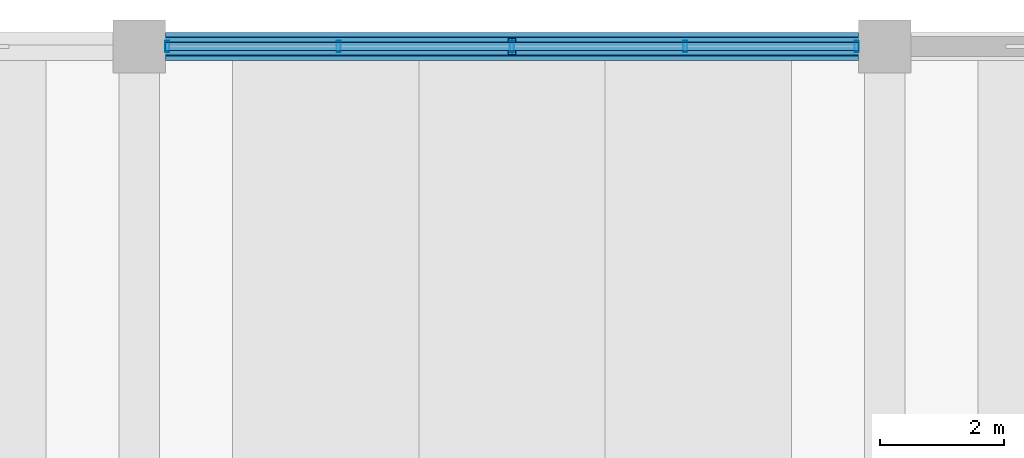
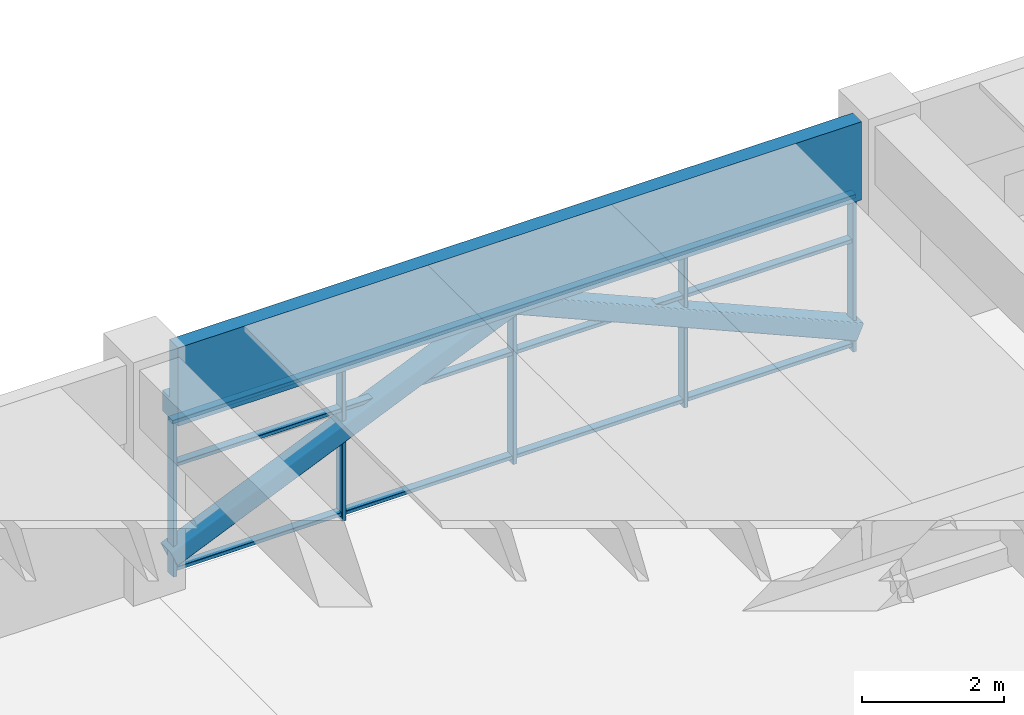
# One storey, part 21 of 50: 10 members, 1 beam, 1 element without a shape of its own.
"""IFC4 building model written with IfcOpenShell, lengths in metres."""

from ifc_helpers import new_model, si_unit, direction, frame, origin, origin_2d, place, context, subcontext, project, spatial, polyline, hollow_rectangle, outline, extrude, material, material_profile, profile_set, type_object, element, aggregate, save


model = new_model("IFC4")

# Units and contexts
model_context = context("Model", 3, precision=1e-05, world=origin(), true_north=direction((0.0, 1.0)))
body_context = subcontext(model_context, "Body", "Model", "MODEL_VIEW")
ifc_project = project(units=[si_unit("LENGTHUNIT", "METRE"), si_unit("AREAUNIT", "SQUARE_METRE"), si_unit("VOLUMEUNIT", "CUBIC_METRE"), si_unit("PLANEANGLEUNIT", "RADIAN"), si_unit("MASSUNIT", "GRAM", prefix="KILO")], contexts=[model_context])

# Site, building, storey
site_placement = place(None, origin())
site = spatial("IfcSite", under=ifc_project, at=site_placement, CompositionType="ELEMENT")
building_placement = place(site_placement, origin())
building = spatial("IfcBuilding", under=site, at=building_placement, Name="Girod Span Mobility Hub", CompositionType="ELEMENT")
storey_placement = place(building_placement, frame((0.0, 0.0, 5.39990234375)))
storey = spatial("IfcBuildingStorey", under=building, at=storey_placement, Name="L01", CompositionType="ELEMENT", Elevation=5.39990234375)

# Beam
ifc_material_1 = material(Name="Concrete C40/50", Category="concrete")
ifc_material_profile_1 = material_profile(ifc_material_1, outline(polyline([(-0.22509765625, -0.675048828125), (0.22509765625, -0.675048828125), (0.22509765625, -0.324951171875), (0.02490234375, -0.324951171875), (0.02490234375, 0.675048828125), (-0.22509765625, 0.675048828125), (-0.22509765625, -0.675048828125)])), Name="SP-450X1350")
ifc_profile_set_1 = profile_set([ifc_material_profile_1], Name="Concrete C40/50")
beam_type = type_object("IfcBeamType", Name="BM-SP-450X1350", PredefinedType="SPANDREL", material=ifc_profile_set_1)
beam_placement = place(storey_placement, frame((108.422119140625, 114.0, 3.364990234375), z_axis=(1.0, 0.0, 0.0), x_axis=(0.0, 1.0, 0.0)))
element("IfcBeam", 1, at=beam_placement, inside=storey, type_object=beam_type, Name="Girder 10-11/J L01", PredefinedType="SPANDREL", context=body_context, shape_type="SweptSolid", body=[
    extrude(outline(polyline([(-0.22509765625, -0.675048828125), (0.22509765625, -0.675048828125), (0.22509765625, -0.324951171875), (0.02490234375, -0.324951171875), (0.02490234375, 0.675048828125), (-0.22509765625, 0.675048828125), (-0.22509765625, -0.675048828125)])), origin(), (0.0, 0.0, 1.0), 11.15576171875),
])

# Curtain wall, members
ifc_material_2 = material(Name="Thermally Broken Anodised Aluminium", Category="aluminium")
curtain_wall_type = type_object("IfcCurtainWallType", Name="CW-1115X269", PredefinedType="USERDEFINED", material=ifc_material_2)
curtain_wall_placement = place(storey_placement, origin())
curtain_wall = element("IfcCurtainWall", 2, at=curtain_wall_placement, inside=storey, type_object=curtain_wall_type, Name="Concourse Storefront CW-L01-N10 L01", ObjectType="CONCOURSE STOREFRONT", PredefinedType="USERDEFINED")
ifc_material_3 = material(Name="Thermally Broken Anodised Aluminium", Category="aluminium")
ifc_material_profile_2 = material_profile(ifc_material_3, hollow_rectangle(XDim=0.179931640625, YDim=0.06494140625, WallThickness=0.00390625, InnerFilletRadius=0.00390625, OuterFilletRadius=0.008056640625, at=origin_2d()), Name="CW-ML-65X180")
ifc_profile_set_2 = profile_set([ifc_material_profile_2], Name="Thermally Broken Anodised Aluminium")
member_type_1 = type_object("IfcMemberType", Name="CWM-ML-2", PredefinedType="MULLION", material=ifc_profile_set_2)
member_1_placement = place(storey_placement, frame((108.455078125, 114.0, 0.0), z_axis=(0.0, 0.0, 1.0), x_axis=(0.0, 1.0, 0.0)))
member_1 = element("IfcMember", 3, at=member_1_placement, type_object=member_type_1, Name="Curtain Wall Mullion CW-L01-N10-M0", PredefinedType="MULLION", context=body_context, shape_type="SweptSolid", body=[
    extrude(hollow_rectangle(XDim=0.179931640625, YDim=0.06494140625, WallThickness=0.00390625, InnerFilletRadius=0.00390625, OuterFilletRadius=0.008056640625, at=origin_2d()), origin(), (0.0, 0.0, 1.0), 2.690185546875),
])
member_2_placement = place(storey_placement, frame((111.21142578125, 114.0, 0.0), z_axis=(0.0, 0.0, 1.0), x_axis=(0.0, 1.0, 0.0)))
member_2 = element("IfcMember", 4, at=member_2_placement, type_object=member_type_1, Name="Curtain Wall Mullion CW-L01-N10-M1", PredefinedType="MULLION", context=body_context, shape_type="SweptSolid", body=[
    extrude(hollow_rectangle(XDim=0.179931640625, YDim=0.06494140625, WallThickness=0.00390625, InnerFilletRadius=0.00390625, OuterFilletRadius=0.008056640625, at=origin_2d()), origin(), (0.0, 0.0, 1.0), 2.690185546875),
])
member_3_placement = place(storey_placement, frame((114.0, 114.0, 0.0), z_axis=(0.0, 0.0, 1.0), x_axis=(0.0, 1.0, 0.0)))
member_3 = element("IfcMember", 5, at=member_3_placement, type_object=member_type_1, Name="Curtain Wall Mullion CW-L01-N10-M2", PredefinedType="MULLION", context=body_context, shape_type="SweptSolid", body=[
    extrude(hollow_rectangle(XDim=0.179931640625, YDim=0.06494140625, WallThickness=0.00390625, InnerFilletRadius=0.00390625, OuterFilletRadius=0.008056640625, at=origin_2d()), origin(), (0.0, 0.0, 1.0), 2.690185546875),
])
member_4_placement = place(storey_placement, frame((116.78857421875, 114.0, 0.0), z_axis=(0.0, 0.0, 1.0), x_axis=(0.0, 1.0, 0.0)))
member_4 = element("IfcMember", 6, at=member_4_placement, type_object=member_type_1, Name="Curtain Wall Mullion CW-L01-N10-M3", PredefinedType="MULLION", context=body_context, shape_type="SweptSolid", body=[
    extrude(hollow_rectangle(XDim=0.179931640625, YDim=0.06494140625, WallThickness=0.00390625, InnerFilletRadius=0.00390625, OuterFilletRadius=0.008056640625, at=origin_2d()), origin(), (0.0, 0.0, 1.0), 2.690185546875),
])
member_5_placement = place(storey_placement, frame((119.544921875, 114.0, 0.0), z_axis=(0.0, 0.0, 1.0), x_axis=(0.0, 1.0, 0.0)))
member_5 = element("IfcMember", 7, at=member_5_placement, type_object=member_type_1, Name="Curtain Wall Mullion CW-L01-N10-M4", PredefinedType="MULLION", context=body_context, shape_type="SweptSolid", body=[
    extrude(hollow_rectangle(XDim=0.179931640625, YDim=0.06494140625, WallThickness=0.00390625, InnerFilletRadius=0.00390625, OuterFilletRadius=0.008056640625, at=origin_2d()), origin(), (0.0, 0.0, 1.0), 2.690185546875),
])
ifc_material_4 = material(Name="Thermally Broken Anodised Aluminium", Category="aluminium")
ifc_material_profile_3 = material_profile(ifc_material_4, hollow_rectangle(XDim=0.135009765625, YDim=0.06494140625, WallThickness=0.00390625, InnerFilletRadius=0.00390625, OuterFilletRadius=0.008056640625, at=origin_2d()), Name="CW-TR-65X135")
ifc_profile_set_3 = profile_set([ifc_material_profile_3], Name="Thermally Broken Anodised Aluminium")
member_type_2 = type_object("IfcMemberType", Name="CWM-TR-2", PredefinedType="USERDEFINED", material=ifc_profile_set_3)
member_6_placement = place(storey_placement, frame((108.423095703125, 114.0, 0.107666015625), z_axis=(1.0, 0.0, 0.0), x_axis=(0.0, 1.0, 0.0)))
member_6 = element("IfcMember", 8, at=member_6_placement, type_object=member_type_2, Name="Curtain Wall Transom CW-L01-N10-T1", ObjectType="TRANSOM", PredefinedType="USERDEFINED", context=body_context, shape_type="SweptSolid", body=[
    extrude(hollow_rectangle(XDim=0.135009765625, YDim=0.06494140625, WallThickness=0.00390625, InnerFilletRadius=0.00390625, OuterFilletRadius=0.008056640625, at=origin_2d()), origin(), (0.0, 0.0, 1.0), 11.15380859375),
])
member_7_placement = place(storey_placement, frame((108.423095703125, 114.0, 1.904296875), z_axis=(1.0, 0.0, 0.0), x_axis=(0.0, 1.0, 0.0)))
member_7 = element("IfcMember", 9, at=member_7_placement, type_object=member_type_2, Name="Curtain Wall Transom CW-L01-N10-T2", ObjectType="TRANSOM", PredefinedType="USERDEFINED", context=body_context, shape_type="SweptSolid", body=[
    extrude(hollow_rectangle(XDim=0.135009765625, YDim=0.06494140625, WallThickness=0.00390625, InnerFilletRadius=0.00390625, OuterFilletRadius=0.008056640625, at=origin_2d()), origin(), (0.0, 0.0, 1.0), 11.15380859375),
])
member_8_placement = place(storey_placement, frame((108.423095703125, 114.0, 2.65771484375), z_axis=(1.0, 0.0, 0.0), x_axis=(0.0, 1.0, 0.0)))
member_8 = element("IfcMember", 10, at=member_8_placement, type_object=member_type_2, Name="Curtain Wall Transom CW-L01-N10-T3", ObjectType="TRANSOM", PredefinedType="USERDEFINED", context=body_context, shape_type="SweptSolid", body=[
    extrude(hollow_rectangle(XDim=0.135009765625, YDim=0.06494140625, WallThickness=0.00390625, InnerFilletRadius=0.00390625, OuterFilletRadius=0.008056640625, at=origin_2d()), origin(), (0.0, 0.0, 1.0), 11.15380859375),
])
aggregate(curtain_wall, [member_1, member_2, member_3, member_4, member_5, member_6, member_7, member_8])

# Members
ifc_material_5 = material(Name="Steel HSS A500 Grade C", Category="steel")
ifc_material_profile_4 = material_profile(ifc_material_5, hollow_rectangle(XDim=0.304931640625, YDim=0.304931640625, WallThickness=0.014892578125, InnerFilletRadius=0.014892578125, OuterFilletRadius=0.029541015625, at=origin_2d()), Name="HSS305X305X16")
ifc_profile_set_4 = profile_set([ifc_material_profile_4], Name="Steel HSS A500 Grade C")
member_type_3 = type_object("IfcMemberType", Name="MB-BR-HSS305", PredefinedType="BRACE", material=ifc_profile_set_4)
for number, where, z_axis, x_axis, name in (
    (11, (108.405029296875, 114.0, 0.35009765625), (0.917828641156, 0.0, 0.396976807223), (0.0, 1.0, 0.0), "Perimeter Chevron Brace 10/J-L L01"),
    (12, (119.594970703125, 114.0, 0.35009765625), (-0.917828641156, 0.0, 0.396976807223), (0.0, -1.0, 0.0), "Perimeter Chevron Brace 10/J-R L01"),
):
    element("IfcMember", number, at=place(storey_placement, frame(where, z_axis=z_axis, x_axis=x_axis)), inside=storey, type_object=member_type_3, Name=name, PredefinedType="BRACE", context=body_context, shape_type="SweptSolid", body=[
        extrude(hollow_rectangle(XDim=0.304931640625, YDim=0.304931640625, WallThickness=0.014892578125, InnerFilletRadius=0.014892578125, OuterFilletRadius=0.029541015625, at=origin_2d()), origin(), (0.0, 0.0, 1.0), 6.095947265625),
    ])

save(model, "model.ifc")
